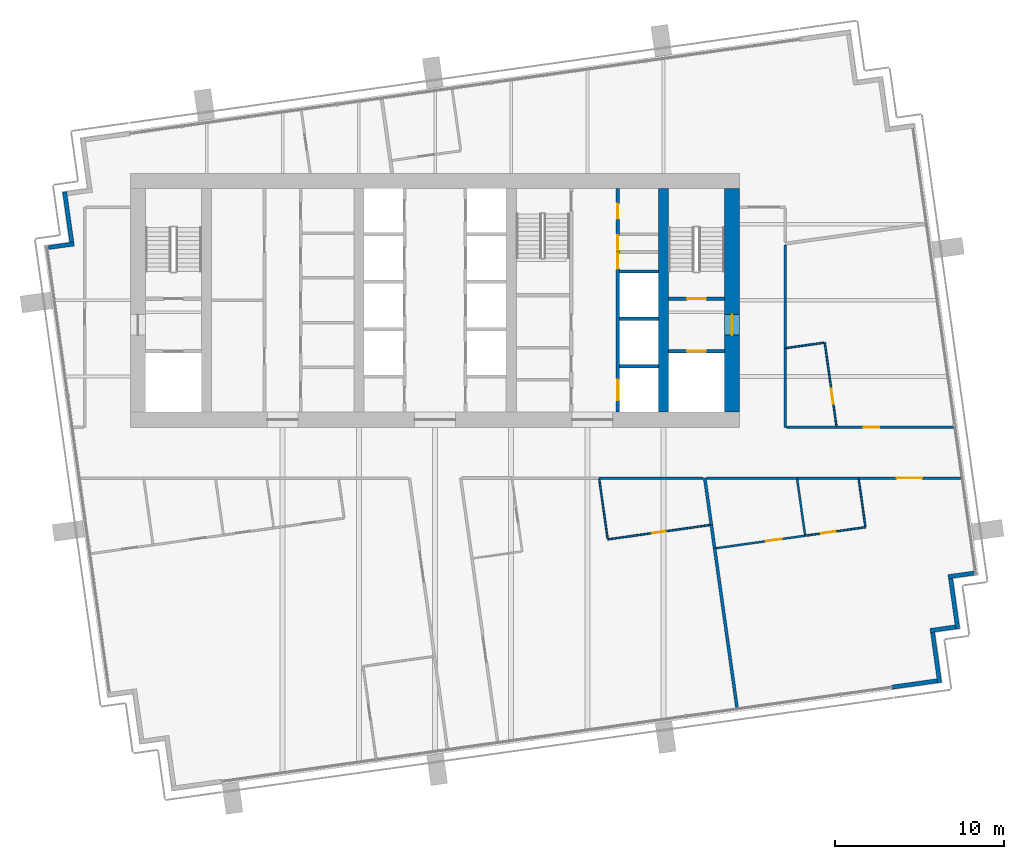
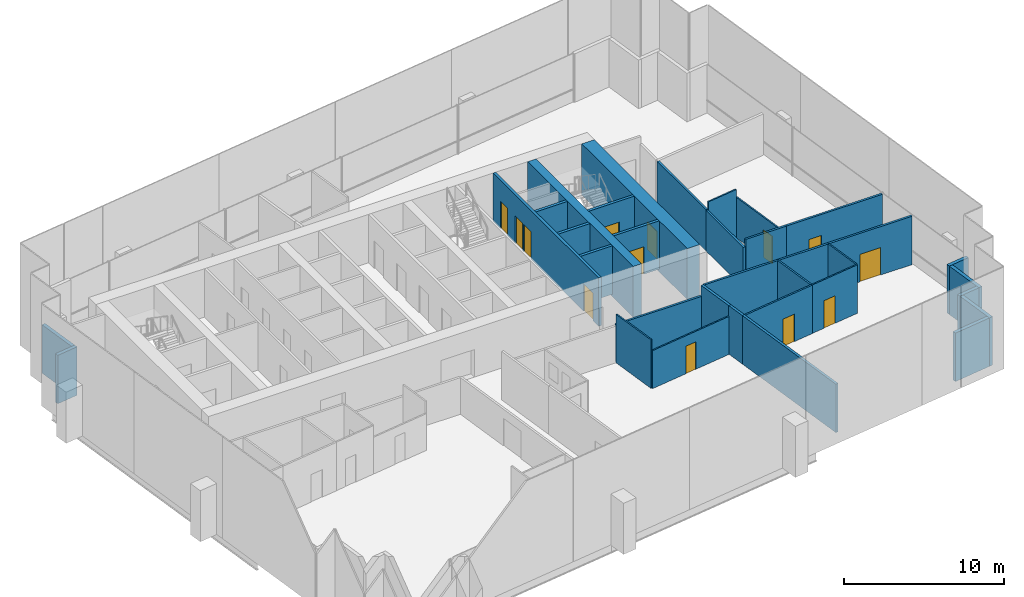
# One storey, part 11 of 17: 34 walls, 13 doors, 13 openings.
"""IFC4 building model written with IfcOpenShell, lengths in metres."""

import ifcopenshell
import ifcopenshell.guid

model = None  # the IFC model being written
_history = None  # IfcOwnerHistory: only IFC2X3 demands one
_inside = {}  # id of a spatial element -> (the spatial element, [elements in it])
_under = {}  # id of a project, library or spatial element -> (it, [spatial elements below it])
_declared = {}  # id of a project -> (the project, [libraries it declares])
_typed = {}  # id of a type object -> (the type object, [elements of that type])
_made_of = {}  # id of a material, layer set ... -> (it, [elements and type objects made of it])


def new_model(schema):
    """Start an empty IFC model of exactly this schema.

    Asked for "IFC4X3", IfcOpenShell would pick the latest addendum, in which some entities
    have other attributes; the version numbers below select the first issue.
    IFC2X3 requires an IfcOwnerHistory on every rooted entity: one is made here for all.
    """
    global model, _history
    if schema == "IFC4X3":
        model = ifcopenshell.file(schema_version=(4, 3, 0, 0))
    else:
        model = ifcopenshell.file(schema=schema)
    _inside.clear()
    _under.clear()
    _declared.clear()
    _typed.clear()
    _made_of.clear()
    _history = None
    if model.schema == "IFC2X3":
        org = make("IfcOrganization", Name="unknown")
        user = make(
            "IfcPersonAndOrganization",
            ThePerson=make("IfcPerson", FamilyName="unknown"),
            TheOrganization=org,
        )
        app = make(
            "IfcApplication",
            ApplicationDeveloper=org,
            Version="unknown",
            ApplicationFullName="unknown",
            ApplicationIdentifier="unknown",
        )
        _history = make(
            "IfcOwnerHistory",
            OwningUser=user,
            OwningApplication=app,
            ChangeAction="ADDED",
            CreationDate=0,
        )
    return model


def make(cls, **values):
    """One entity of the class cls with the attributes given. An attribute that is None is left unset."""
    return model.create_entity(
        cls, **{name: value for name, value in values.items() if value is not None}
    )


def rooted(cls, **values):
    """An entity with a GlobalId (a new one), such as an element, a storey or a relation."""
    return make(cls, GlobalId=ifcopenshell.guid.new(), OwnerHistory=_history, **values)


def si_unit(unit_type, name, prefix=None):
    """IfcSIUnit, for example si_unit("LENGTHUNIT", "METRE", prefix="MILLI")."""
    return make("IfcSIUnit", UnitType=unit_type, Prefix=prefix, Name=name)


def assignment(units):
    """IfcUnitAssignment: the units of a project."""
    return None if units is None else make("IfcUnitAssignment", Units=units)


def point(xyz):
    """IfcCartesianPoint."""
    return None if xyz is None else make("IfcCartesianPoint", Coordinates=xyz)


def direction(xyz):
    """IfcDirection."""
    return None if xyz is None else make("IfcDirection", DirectionRatios=xyz)


def frame(location, z_axis=None, x_axis=None):
    """IfcAxis2Placement3D, a coordinate frame: its origin and axes. An axis left out is left unset."""
    return make(
        "IfcAxis2Placement3D",
        Location=point(location),
        Axis=direction(z_axis),
        RefDirection=direction(x_axis),
    )


def frame_2d(location, x_axis=None):
    """IfcAxis2Placement2D, a coordinate frame in the plane: its origin and x axis."""
    return make(
        "IfcAxis2Placement2D", Location=point(location), RefDirection=direction(x_axis)
    )


def origin():
    """The frame at (0, 0, 0) with its axes left unset."""
    return frame((0.0, 0.0, 0.0))


def place(relative_to, where):
    """IfcLocalPlacement: puts the frame where relative to a parent placement (None: the world)."""
    return make(
        "IfcLocalPlacement", PlacementRelTo=relative_to, RelativePlacement=where
    )


def context(
    kind, dimensions, precision=None, world=None, true_north=None, identifier=None
):
    """IfcGeometricRepresentationContext, for example the 3D "Model" context."""
    return make(
        "IfcGeometricRepresentationContext",
        ContextIdentifier=identifier,
        ContextType=kind,
        CoordinateSpaceDimension=dimensions,
        Precision=precision,
        WorldCoordinateSystem=world,
        TrueNorth=true_north,
    )


def subcontext(parent, identifier, kind, view, scale=None):
    """IfcGeometricRepresentationSubContext, for example "Body" below "Model"."""
    return make(
        "IfcGeometricRepresentationSubContext",
        ContextIdentifier=identifier,
        ContextType=kind,
        ParentContext=parent,
        TargetScale=scale,
        TargetView=view,
    )


def project(units=None, contexts=None):
    """IfcProject with its units and contexts."""
    return rooted(
        "IfcProject",
        Name="project",
        RepresentationContexts=contexts,
        UnitsInContext=assignment(units),
    )


def spatial(cls, under=None, at=None, **own):
    """A site, building, storey or space (cls), placed at a placement, below another one or the project."""
    s = rooted(cls, ObjectPlacement=at, **own)
    if under is not None:
        _under.setdefault(under.id(), (under, []))[1].append(s)
    return s


def profile(cls, at=None, kind="AREA", **sizes):
    """A parametric profile (cls). Its sizes go by their IFC names, for example OverallWidth=200.0."""
    return make(cls, ProfileType=kind, Position=at, **sizes)


def rectangle(**sizes):
    """IfcRectangleProfileDef."""
    return profile("IfcRectangleProfileDef", **sizes)


def extrude(swept, where, along, depth):
    """IfcExtrudedAreaSolid: the profile swept, set in the frame where, extruded along a direction by depth."""
    return make(
        "IfcExtrudedAreaSolid",
        SweptArea=swept,
        Position=where,
        ExtrudedDirection=direction(along),
        Depth=depth,
    )


def shape(context_of_items, identifier, shape_type, items):
    """IfcShapeRepresentation: the items that make up one representation, for example the "Body"."""
    return make(
        "IfcShapeRepresentation",
        ContextOfItems=context_of_items,
        RepresentationIdentifier=identifier,
        RepresentationType=shape_type,
        Items=items,
    )


def material(Name=None, Category=None):
    """IfcMaterial."""
    return make("IfcMaterial", Name=Name, Category=Category)


def layer(
    of_material, thickness, ventilated=None, Name=None, Category=None, Priority=None
):
    """IfcMaterialLayer: one layer of a wall or slab, of a material (None: an air gap)."""
    return make(
        "IfcMaterialLayer",
        Material=of_material,
        LayerThickness=thickness,
        IsVentilated=ventilated,
        Name=Name,
        Category=Category,
        Priority=Priority,
    )


def layer_set(layers, Name=None):
    """IfcMaterialLayerSet."""
    return make("IfcMaterialLayerSet", MaterialLayers=layers, LayerSetName=Name)


def made_of(thing, what):
    """Note that an element or type object is made of a material, layer set ...; save() writes the relation."""
    if what is not None:
        _made_of.setdefault(what.id(), (what, []))[1].append(thing)
    return thing


def type_object(cls, material=None, **own):
    """A type object (cls), such as IfcWallType, which elements share."""
    return made_of(rooted(cls, **own), material)


def element(
    cls,
    number,
    at=None,
    inside=None,
    cuts=None,
    type_object=None,
    material=None,
    context=None,
    identifier="Body",
    shape_type=None,
    held_by="IfcProductDefinitionShape",
    body=None,
    shapes=None,
    **own,
):
    """One element of the class cls, such as IfcWall. Its Tag is "e" and its number.

    at: its placement. inside: the storey or other place that contains it. cuts: it is an
    opening in that element (IfcRelVoidsElement). A single representation is given by context,
    identifier, shape_type and body (its items); several are given by shapes. held_by: the class
    of the entity that holds the representations. save() writes the other relations.
    """
    e = rooted(cls, Tag="e%d" % number, ObjectPlacement=at, **own)
    if body is not None:
        shapes = [shape(context, identifier, shape_type, body)]
    if shapes is not None:
        e.Representation = make(held_by, Representations=shapes)
    if inside is not None:
        _inside.setdefault(inside.id(), (inside, []))[1].append(e)
    if cuts is not None:
        rooted(
            "IfcRelVoidsElement", RelatingBuildingElement=cuts, RelatedOpeningElement=e
        )
    if type_object is not None:
        _typed.setdefault(type_object.id(), (type_object, []))[1].append(e)
    return made_of(e, material)


def fill(opening, filler):
    """IfcRelFillsElement: the door or window that sits in an opening."""
    return rooted(
        "IfcRelFillsElement",
        RelatingOpeningElement=opening,
        RelatedBuildingElement=filler,
    )


def aggregate(whole, parts):
    """IfcRelAggregates: a whole, such as a stair, and the parts it consists of."""
    return rooted("IfcRelAggregates", RelatingObject=whole, RelatedObjects=parts)


def save(model, path):
    """Write the relations noted so far, then the file.

    IfcRelAggregates (storeys below a building ...), IfcRelContainedInSpatialStructure (elements
    in a storey), IfcRelDefinesByType, IfcRelAssociatesMaterial and IfcRelDeclares: one each for
    every whole, place, type object, material and project.
    """
    for whole, parts in _under.values():
        aggregate(whole, parts)
    for where, things in _inside.values():
        rooted(
            "IfcRelContainedInSpatialStructure",
            RelatedElements=things,
            RelatingStructure=where,
        )
    for kind, things in _typed.values():
        rooted("IfcRelDefinesByType", RelatedObjects=things, RelatingType=kind)
    for what, things in _made_of.values():
        rooted("IfcRelAssociatesMaterial", RelatedObjects=things, RelatingMaterial=what)
    for by, libraries in _declared.values():
        rooted("IfcRelDeclares", RelatingContext=by, RelatedDefinitions=libraries)
    model.write(path)


model = new_model("IFC4")

# Units and contexts
model_context = context("Model", 3, precision=1e-05, world=origin(), true_north=direction((0.0, 1.0)))
body_context = subcontext(model_context, "Body", "Model", "MODEL_VIEW")
ifc_project = project(units=[si_unit("LENGTHUNIT", "METRE"), si_unit("AREAUNIT", "SQUARE_METRE"), si_unit("VOLUMEUNIT", "CUBIC_METRE"), si_unit("PLANEANGLEUNIT", "RADIAN"), si_unit("MASSUNIT", "GRAM", prefix="KILO")], contexts=[model_context])

# Site, building, storey
site_placement = place(None, origin())
site = spatial("IfcSite", under=ifc_project, at=site_placement, CompositionType="ELEMENT")
building_placement = place(site_placement, origin())
building = spatial("IfcBuilding", under=site, at=building_placement, Name="Rattan Terrace Tower", CompositionType="ELEMENT")
storey_placement = place(building_placement, frame((0.0, 0.0, 225.199951171875)))
storey = spatial("IfcBuildingStorey", under=building, at=storey_placement, Name="L51", CompositionType="ELEMENT", Elevation=225.199951171875)

# Wall, opening, door
ifc_material_1 = material(Name="Gypsum board partition")
ifc_layer_1 = layer(ifc_material_1, 0.199951171875)
ifc_layer_set_1 = layer_set([ifc_layer_1], Name="Core partition 200")
wall_type_1 = type_object("IfcWallType", Name="Core partition 200", PredefinedType="PARTITIONING", material=ifc_layer_set_1)
wall_1_placement = place(storey_placement, frame((13.800048828125, -3.0, 0.0), z_axis=(0.0, 0.0, 1.0), x_axis=(1.0, 0.0, 0.0)))
wall_1 = element("IfcWall", 1, at=wall_1_placement, inside=storey, type_object=wall_type_1, Name="Fire-fighting lobby wall", PredefinedType="PARTITIONING", context=body_context, shape_type="SweptSolid", body=[
    extrude(rectangle(XDim=3.300048828125, YDim=0.199951171875, at=frame_2d((1.64990234375, 0.0))), origin(), (0.0, 0.0, 1.0), 3.699951171875),
])
opening_1_placement = place(wall_1_placement, frame((1.10009765625, 0.0, 0.0)))
opening_1 = element("IfcOpeningElement", 2, at=opening_1_placement, cuts=wall_1, Name="Opening L51-LD-FF2", PredefinedType="OPENING", context=body_context, shape_type="SweptSolid", body=[
    extrude(rectangle(XDim=1.10009765625, YDim=2.10009765625, at=frame_2d((0.550048828125, 1.050048828125))), frame((0.0, 0.110595703125, 0.0), z_axis=(0.0, -1.0, 0.0), x_axis=(1.0, 0.0, 0.0)), (0.0, 0.0, 1.0), 0.220947265625),
])
ifc_material_2 = material(Name="Brushed stainless landing door panel")
door_type_1 = type_object("IfcDoorType", Name="Core lift landing door 1100", OperationType="DOUBLE_DOOR_SLIDING", PredefinedType="DOOR", material=ifc_material_2)
door_1_placement = place(opening_1_placement, origin())
door_1 = element("IfcDoor", 3, at=door_1_placement, inside=storey, type_object=door_type_1, Name="Door L51-LD-FF2", OperationType="DOUBLE_DOOR_SLIDING", OverallHeight=2.10009765625, OverallWidth=1.10009765625, PredefinedType="DOOR", context=body_context, shape_type="SweptSolid", body=[
    extrude(rectangle(XDim=1.10009765625, YDim=2.10009765625, at=frame_2d((0.550048828125, 1.050048828125))), frame((0.0, 0.02490234375, 0.0), z_axis=(0.0, -1.0, 0.0), x_axis=(1.0, 0.0, 0.0)), (0.0, 0.0, 1.0), 0.050048828125),
])
fill(opening_1, door_1)

wall_2_placement = place(storey_placement, frame((13.800048828125, 0.10009765625, 0.0), z_axis=(0.0, 0.0, 1.0), x_axis=(1.0, 0.0, 0.0)))
wall_2 = element("IfcWall", 4, at=wall_2_placement, inside=storey, type_object=wall_type_1, Name="Stair enclosure wall", PredefinedType="PARTITIONING", context=body_context, shape_type="SweptSolid", body=[
    extrude(rectangle(XDim=3.300048828125, YDim=0.199951171875, at=frame_2d((1.64990234375, 0.0))), origin(), (0.0, 0.0, 1.0), 3.699951171875),
])
opening_2_placement = place(wall_2_placement, frame((1.10009765625, 0.0, 0.0)))
opening_2 = element("IfcOpeningElement", 5, at=opening_2_placement, cuts=wall_2, Name="Opening L51-D004", PredefinedType="OPENING", context=body_context, shape_type="SweptSolid", body=[
    extrude(rectangle(XDim=1.10009765625, YDim=2.10009765625, at=frame_2d((0.550048828125, 1.050048828125))), frame((0.0, 0.110595703125, 0.0), z_axis=(0.0, -1.0, 0.0), x_axis=(1.0, 0.0, 0.0)), (0.0, 0.0, 1.0), 0.220947265625),
])
ifc_material_3 = material(Name="Hollow-metal fire door leaf")
door_type_2 = type_object("IfcDoorType", Name="Core stair door 1100", OperationType="NOTDEFINED", PredefinedType="DOOR", material=ifc_material_3)
door_2_placement = place(opening_2_placement, origin())
door_2 = element("IfcDoor", 6, at=door_2_placement, inside=storey, type_object=door_type_2, Name="Door L51-D004", OperationType="SINGLE_SWING_RIGHT", OverallHeight=2.10009765625, OverallWidth=1.10009765625, PredefinedType="DOOR", context=body_context, shape_type="SweptSolid", body=[
    extrude(rectangle(XDim=1.10009765625, YDim=2.10009765625, at=frame_2d((0.550048828125, 1.050048828125))), frame((0.0, 0.02490234375, 0.0), z_axis=(0.0, -1.0, 0.0), x_axis=(1.0, 0.0, 0.0)), (0.0, 0.0, 1.0), 0.050048828125),
])
fill(opening_2, door_2)

ifc_material_4 = material(Name="Concrete C50/60", Category="concrete")
ifc_layer_2 = layer(ifc_material_4, 0.89990234375)
ifc_layer_set_2 = layer_set([ifc_layer_2], Name="Core ring wall 900 C50/60")
wall_type_2 = type_object("IfcWallType", Name="Core ring wall 900 C50/60", PredefinedType="SHEAR", material=ifc_layer_set_2)
wall_3_placement = place(storey_placement, frame((17.550048828125, -6.60009765625, -0.199951171875), z_axis=(0.0, 0.0, 1.0), x_axis=(0.0, 1.0, 0.0)))
wall_3 = element("IfcWall", 7, at=wall_3_placement, inside=storey, type_object=wall_type_2, Name="Rear core wall east", PredefinedType="SHEAR", context=body_context, shape_type="SweptSolid", body=[
    extrude(rectangle(XDim=13.2001953125, YDim=0.89990234375, at=frame_2d((6.60009765625, 0.0))), origin(), (0.0, 0.0, 1.0), 3.89990234375),
])
opening_3_placement = place(wall_3_placement, frame((4.550048828125, 0.0, 0.199951171875)))
opening_3 = element("IfcOpeningElement", 8, at=opening_3_placement, cuts=wall_3, Name="Opening L51-D003", PredefinedType="OPENING", context=body_context, shape_type="SweptSolid", body=[
    extrude(rectangle(XDim=1.199951171875, YDim=2.10009765625, at=frame_2d((0.60009765625, 1.050048828125))), frame((0.0, 0.46044921875, 0.0), z_axis=(0.0, -1.0, 0.0), x_axis=(1.0, 0.0, 0.0)), (0.0, 0.0, 1.0), 0.9208984375),
])
ifc_material_5 = material(Name="Hollow-metal fire door leaf")
door_type_3 = type_object("IfcDoorType", Name="Core fire-fighting lobby door 1200", OperationType="NOTDEFINED", PredefinedType="DOOR", material=ifc_material_5)
door_3_placement = place(opening_3_placement, origin())
door_3 = element("IfcDoor", 9, at=door_3_placement, inside=storey, type_object=door_type_3, Name="Door L51-D003", OperationType="SINGLE_SWING_LEFT", OverallHeight=2.10009765625, OverallWidth=1.199951171875, PredefinedType="DOOR", context=body_context, shape_type="SweptSolid", body=[
    extrude(rectangle(XDim=1.199951171875, YDim=2.10009765625, at=frame_2d((0.60009765625, 1.050048828125))), frame((0.0, 0.02490234375, 0.0), z_axis=(0.0, -1.0, 0.0), x_axis=(1.0, 0.0, 0.0)), (0.0, 0.0, 1.0), 0.050048828125),
])
fill(opening_3, door_3)

# Walls
ifc_material_6 = material(Name="Concrete C50/60", Category="concrete")
ifc_layer_3 = layer(ifc_material_6, 0.60009765625)
ifc_layer_set_3 = layer_set([ifc_layer_3], Name="Core spine wall 600 C50/60")
wall_type_3 = type_object("IfcWallType", Name="Core spine wall 600 C50/60", PredefinedType="SHEAR", material=ifc_layer_set_3)
wall_4_placement = place(storey_placement, frame((13.5, -6.60009765625, -0.199951171875), z_axis=(0.0, 0.0, 1.0), x_axis=(0.0, 1.0, 0.0)))
element("IfcWall", 10, at=wall_4_placement, inside=storey, type_object=wall_type_3, Name="Core spine wall 4", PredefinedType="SHEAR", context=body_context, shape_type="SweptSolid", body=[
    extrude(rectangle(XDim=13.2001953125, YDim=0.60009765625, at=frame_2d((6.60009765625, 0.0))), origin(), (0.0, 0.0, 1.0), 3.89990234375),
])
ifc_material_7 = material(Name="Insulated aluminium-clad stud wall", Category="aluminium")
ifc_layer_4 = layer(ifc_material_7, 0.25)
ifc_layer_set_4 = layer_set([ifc_layer_4], Name="Facade Riser Wall 250")
wall_type_4 = type_object("IfcWallType", Name="Facade Riser Wall 250", PredefinedType="SOLIDWALL", material=ifc_layer_set_4)
wall_5_placement = place(storey_placement, frame((26.995361328125, -22.858642578125, 0.0), z_axis=(0.0, 0.0, 1.0), x_axis=(0.99024510326, 0.139336411139, 0.0)))
element("IfcWall", 11, at=wall_5_placement, inside=storey, type_object=wall_type_4, Name="Riser wall L51-1", PredefinedType="SOLIDWALL", context=body_context, shape_type="SweptSolid", body=[
    extrude(rectangle(XDim=2.705322265625, YDim=0.25, at=frame_2d((1.3525390625, 0.0))), origin(), (0.0, 0.0, 1.0), 3.699951171875),
])
wall_6_placement = place(storey_placement, frame((29.8154296875, -22.588134765625, 0.0), z_axis=(0.0, 0.0, 1.0), x_axis=(-0.138983028379, 0.9902947631, 0.0)))
element("IfcWall", 12, at=wall_6_placement, inside=storey, type_object=wall_type_4, Name="Riser wall L51-2", PredefinedType="SOLIDWALL", context=body_context, shape_type="SweptSolid", body=[
    extrude(rectangle(XDim=3.000244140625, YDim=0.25, at=frame_2d((1.5, 0.0))), origin(), (0.0, 0.0, 1.0), 3.699951171875),
])
wall_7_placement = place(storey_placement, frame((29.25732421875, -19.510498046875, 0.0), z_axis=(0.0, 0.0, 1.0), x_axis=(0.990330117064, 0.138730887823, 0.0)))
element("IfcWall", 13, at=wall_7_placement, inside=storey, type_object=wall_type_4, Name="Riser wall L51-3", PredefinedType="SOLIDWALL", context=body_context, shape_type="SweptSolid", body=[
    extrude(rectangle(XDim=1.499267578125, YDim=0.25, at=frame_2d((0.74951171875, 0.0))), origin(), (0.0, 0.0, 1.0), 3.699951171875),
])
wall_8_placement = place(storey_placement, frame((30.88330078125, -19.408935546875, 0.0), z_axis=(0.0, 0.0, 1.0), x_axis=(-0.139324658755, 0.990246756855, 0.0)))
element("IfcWall", 14, at=wall_8_placement, inside=storey, type_object=wall_type_4, Name="Riser wall L51-4", PredefinedType="SOLIDWALL", context=body_context, shape_type="SweptSolid", body=[
    extrude(rectangle(XDim=3.0, YDim=0.25, at=frame_2d((1.5, 0.0))), origin(), (0.0, 0.0, 1.0), 3.699951171875),
])
wall_9_placement = place(storey_placement, frame((30.32421875, -16.331787109375, 0.0), z_axis=(0.0, 0.0, 1.0), x_axis=(0.990238641016, 0.139382329723, 0.0)))
element("IfcWall", 15, at=wall_9_placement, inside=storey, type_object=wall_type_4, Name="Riser wall L51-5", PredefinedType="SOLIDWALL", context=body_context, shape_type="SweptSolid", body=[
    extrude(rectangle(XDim=1.525634765625, YDim=0.25, at=frame_2d((0.7626953125, 0.0))), origin(), (0.0, 0.0, 1.0), 3.699951171875),
])
wall_10_placement = place(storey_placement, frame((-21.88330078125, 6.408935546875, 0.0), z_axis=(0.0, 0.0, 1.0), x_axis=(0.139324658755, -0.990246756855, 0.0)))
element("IfcWall", 16, at=wall_10_placement, inside=storey, type_object=wall_type_4, Name="Riser wall L51-14", PredefinedType="SOLIDWALL", context=body_context, shape_type="SweptSolid", body=[
    extrude(rectangle(XDim=3.0, YDim=0.25, at=frame_2d((1.5, 0.0))), origin(), (0.0, 0.0, 1.0), 3.699951171875),
])
wall_11_placement = place(storey_placement, frame((-21.32421875, 3.331787109375, 0.0), z_axis=(0.0, 0.0, 1.0), x_axis=(-0.990238641016, -0.139382329723, 0.0)))
element("IfcWall", 17, at=wall_11_placement, inside=storey, type_object=wall_type_4, Name="Riser wall L51-15", PredefinedType="SOLIDWALL", context=body_context, shape_type="SweptSolid", body=[
    extrude(rectangle(XDim=1.525634765625, YDim=0.25, at=frame_2d((0.7626953125, 0.0))), origin(), (0.0, 0.0, 1.0), 3.699951171875),
])
ifc_material_8 = material(Name="Double steel stud acoustic partition, gypsum board, mineral wool, fire rated", Category="steel")
ifc_layer_5 = layer(ifc_material_8, 0.179931640625)
ifc_layer_set_5 = layer_set([ifc_layer_5], Name="Floors Acoustic Party Wall 180")
wall_type_5 = type_object("IfcWallType", Name="Floors Acoustic Party Wall 180", PredefinedType="PARTITIONING", material=ifc_layer_set_5)
wall_12_placement = place(storey_placement, frame((16.51904296875, -14.638916015625, 0.0), z_axis=(0.0, 0.0, 1.0), x_axis=(0.139138381639, -0.990272947603, 0.0)))
element("IfcWall", 18, at=wall_12_placement, inside=storey, type_object=wall_type_5, Name="pt-L51-039", PredefinedType="PARTITIONING", context=body_context, shape_type="SweptSolid", body=[
    extrude(rectangle(XDim=9.508544921875, YDim=0.179931640625, at=frame_2d((4.75439453125, 0.0))), origin(), (0.0, 0.0, 1.0), 3.699951171875),
])
wall_13_placement = place(storey_placement, frame((16.325927734375, -13.26611328125, 0.0), z_axis=(0.0, 0.0, 1.0), x_axis=(0.13930070257, -0.990250127121, 0.0)))
element("IfcWall", 19, at=wall_13_placement, inside=storey, type_object=wall_type_5, Name="pt-L51-040", PredefinedType="PARTITIONING", context=body_context, shape_type="SweptSolid", body=[
    extrude(rectangle(XDim=1.38623046875, YDim=0.179931640625, at=frame_2d((0.693115234375, 0.0))), origin(), (0.0, 0.0, 1.0), 3.699951171875),
])
wall_14_placement = place(storey_placement, frame((15.93701171875, -10.5, 0.0), z_axis=(0.0, 0.0, 1.0), x_axis=(0.139230726348, -0.990259968312, 0.0)))
element("IfcWall", 20, at=wall_14_placement, inside=storey, type_object=wall_type_5, Name="pt-L51-041", PredefinedType="PARTITIONING", context=body_context, shape_type="SweptSolid", body=[
    extrude(rectangle(XDim=2.793212890625, YDim=0.179931640625, at=frame_2d((1.396484375, 0.0))), origin(), (0.0, 0.0, 1.0), 3.699951171875),
])
ifc_material_9 = material(Name="Gypsum board partition on steel studs", Category="steel")
ifc_layer_6 = layer(ifc_material_9, 0.10009765625)
ifc_layer_set_6 = layer_set([ifc_layer_6], Name="Floors Partition 100")
wall_type_6 = type_object("IfcWallType", Name="Floors Partition 100", PredefinedType="PARTITIONING", material=ifc_layer_set_6)
wall_15_placement = place(storey_placement, frame((9.7041015625, -10.568115234375, 0.0), z_axis=(0.0, 0.0, 1.0), x_axis=(0.139115473097, -0.9902761661, 0.0)))
element("IfcWall", 21, at=wall_15_placement, inside=storey, type_object=wall_type_6, Name="pt-L51-037", PredefinedType="PARTITIONING", context=body_context, shape_type="SweptSolid", body=[
    extrude(rectangle(XDim=3.543212890625, YDim=0.10009765625, at=frame_2d((1.771484375, 0.0))), origin(), (0.0, 0.0, 1.0), 3.699951171875),
])

# Wall, opening, door
wall_16_placement = place(storey_placement, frame((10.2041015625, -14.1259765625, 0.0), z_axis=(0.0, 0.0, 1.0), x_axis=(0.99026754166, 0.139176851288, 0.0)))
wall_16 = element("IfcWall", 22, at=wall_16_placement, inside=storey, type_object=wall_type_6, Name="pt-L51-038", PredefinedType="PARTITIONING", context=body_context, shape_type="SweptSolid", body=[
    extrude(rectangle(XDim=6.09228515625, YDim=0.10009765625, at=frame_2d((3.046142578125, 0.0))), origin(), (0.0, 0.0, 1.0), 2.900146484375),
])
opening_4_placement = place(wall_16_placement, frame((2.64599609375, 0.0, 0.0)))
opening_4 = element("IfcOpeningElement", 23, at=opening_4_placement, cuts=wall_16, Name="Opening L51-D108", PredefinedType="OPENING", context=body_context, shape_type="SweptSolid", body=[
    extrude(rectangle(XDim=0.800048828125, YDim=2.10009765625, at=frame_2d((0.39990234375, 1.050048828125))), frame((0.0, 0.060546875, 0.0), z_axis=(0.0, -1.0, 0.0), x_axis=(1.0, 0.0, 0.0)), (0.0, 0.0, 1.0), 0.12109375),
])
ifc_material_10 = material(Name="Solid core timber door, painted", Category="wood")
door_type_4 = type_object("IfcDoorType", Name="Floors Store Door 800x2100", OperationType="NOTDEFINED", PredefinedType="DOOR", material=ifc_material_10)
door_4_placement = place(opening_4_placement, origin())
door_4 = element("IfcDoor", 24, at=door_4_placement, inside=storey, type_object=door_type_4, Name="d-L51-108", OperationType="SINGLE_SWING_LEFT", OverallHeight=2.10009765625, OverallWidth=0.800048828125, PredefinedType="DOOR", context=body_context, shape_type="SweptSolid", body=[
    extrude(rectangle(XDim=0.800048828125, YDim=2.10009765625, at=frame_2d((0.39990234375, 1.050048828125))), frame((0.0, 0.02490234375, 0.0), z_axis=(0.0, -1.0, 0.0), x_axis=(1.0, 0.0, 0.0)), (0.0, 0.0, 1.0), 0.050048828125),
])
fill(opening_4, door_4)

wall_17_placement = place(storey_placement, frame((21.888916015625, -13.905029296875, 0.0), z_axis=(0.0, 0.0, 1.0), x_axis=(0.990275524816, 0.139120037919, 0.0)))
wall_17 = element("IfcWall", 25, at=wall_17_placement, inside=storey, type_object=wall_type_6, Name="pt-L51-043", PredefinedType="PARTITIONING", context=body_context, shape_type="SweptSolid", body=[
    extrude(rectangle(XDim=3.580078125, YDim=0.10009765625, at=frame_2d((1.7900390625, 0.0))), origin(), (0.0, 0.0, 1.0), 3.699951171875),
])
opening_5_placement = place(wall_17_placement, frame((0.904052734375, 0.0, 0.0)))
opening_5 = element("IfcOpeningElement", 26, at=opening_5_placement, cuts=wall_17, Name="Opening L51-D111", PredefinedType="OPENING", context=body_context, shape_type="SweptSolid", body=[
    extrude(rectangle(XDim=0.89990234375, YDim=2.10009765625, at=frame_2d((0.449951171875, 1.050048828125))), frame((0.0, 0.060546875, 0.0), z_axis=(0.0, -1.0, 0.0), x_axis=(1.0, 0.0, 0.0)), (0.0, 0.0, 1.0), 0.12109375),
])
ifc_material_11 = material(Name="Solid core timber door, painted", Category="wood")
door_type_5 = type_object("IfcDoorType", Name="Floors Door 900x2100", OperationType="NOTDEFINED", PredefinedType="DOOR", material=ifc_material_11)
door_5_placement = place(opening_5_placement, origin())
door_5 = element("IfcDoor", 27, at=door_5_placement, inside=storey, type_object=door_type_5, Name="d-L51-111", OperationType="SINGLE_SWING_LEFT", OverallHeight=2.10009765625, OverallWidth=0.89990234375, PredefinedType="DOOR", context=body_context, shape_type="SweptSolid", body=[
    extrude(rectangle(XDim=0.89990234375, YDim=2.10009765625, at=frame_2d((0.449951171875, 1.050048828125))), frame((0.0, 0.02490234375, 0.0), z_axis=(0.0, -1.0, 0.0), x_axis=(1.0, 0.0, 0.0)), (0.0, 0.0, 1.0), 0.050048828125),
])
fill(opening_5, door_5)

# Walls
wall_18_placement = place(storey_placement, frame((25.427001953125, -13.35791015625, 0.0), z_axis=(0.0, 0.0, 1.0), x_axis=(-0.139176490191, 0.99026759241, 0.0)))
element("IfcWall", 28, at=wall_18_placement, inside=storey, type_object=wall_type_6, Name="pt-L51-044", PredefinedType="PARTITIONING", context=body_context, shape_type="SweptSolid", body=[
    extrude(rectangle(XDim=2.817138671875, YDim=0.10009765625, at=frame_2d((1.40869140625, 0.0))), origin(), (0.0, 0.0, 1.0), 3.699951171875),
])
wall_19_placement = place(storey_placement, frame((22.97705078125, -2.506103515625, 0.0), z_axis=(0.0, 0.0, 1.0), x_axis=(-0.990307451449, -0.138892590173, 0.0)))
element("IfcWall", 29, at=wall_19_placement, inside=storey, type_object=wall_type_6, Name="pt-L51-049", PredefinedType="PARTITIONING", context=body_context, shape_type="SweptSolid", body=[
    extrude(rectangle(XDim=2.230712890625, YDim=0.10009765625, at=frame_2d((1.115234375, 0.0))), origin(), (0.0, 0.0, 1.0), 3.699951171875),
])

# Wall, opening, door
wall_20_placement = place(storey_placement, frame((23.718994140625, -7.431884765625, 0.0), z_axis=(0.0, 0.0, 1.0), x_axis=(-0.138902614834, 0.990306045418, 0.0)))
wall_20 = element("IfcWall", 30, at=wall_20_placement, inside=storey, type_object=wall_type_6, Name="pt-L51-050", PredefinedType="PARTITIONING", context=body_context, shape_type="SweptSolid", body=[
    extrude(rectangle(XDim=4.981201171875, YDim=0.10009765625, at=frame_2d((2.49072265625, 0.0))), origin(), (0.0, 0.0, 1.0), 3.10009765625),
])
opening_6_placement = place(wall_20_placement, frame((1.323974609375, 0.0, 0.0)))
opening_6 = element("IfcOpeningElement", 31, at=opening_6_placement, cuts=wall_20, Name="Opening L51-D115", PredefinedType="OPENING", context=body_context, shape_type="SweptSolid", body=[
    extrude(rectangle(XDim=0.89990234375, YDim=2.10009765625, at=frame_2d((0.449951171875, 1.050048828125))), frame((0.0, 0.060546875, 0.0), z_axis=(0.0, -1.0, 0.0), x_axis=(1.0, 0.0, 0.0)), (0.0, 0.0, 1.0), 0.12109375),
])
door_6_placement = place(opening_6_placement, origin())
door_6 = element("IfcDoor", 32, at=door_6_placement, inside=storey, type_object=door_type_5, Name="d-L51-115", OperationType="SINGLE_SWING_LEFT", OverallHeight=2.10009765625, OverallWidth=0.89990234375, PredefinedType="DOOR", context=body_context, shape_type="SweptSolid", body=[
    extrude(rectangle(XDim=0.89990234375, YDim=2.10009765625, at=frame_2d((0.449951171875, 1.050048828125))), frame((0.0, 0.02490234375, 0.0), z_axis=(0.0, -1.0, 0.0), x_axis=(1.0, 0.0, 0.0)), (0.0, 0.0, 1.0), 0.050048828125),
])
fill(opening_6, door_6)

# Wall
ifc_material_12 = material(Name="Gypsum board partition on steel studs, fire rated", Category="steel")
ifc_layer_7 = layer(ifc_material_12, 0.14990234375)
ifc_layer_set_7 = layer_set([ifc_layer_7], Name="Floors Tenancy Wall 150")
wall_type_7 = type_object("IfcWallType", Name="Floors Tenancy Wall 150", PredefinedType="PARTITIONING", material=ifc_layer_set_7)
wall_21_placement = place(storey_placement, frame((15.847900390625, -10.5, 0.0), z_axis=(0.0, 0.0, 1.0), x_axis=(-1.0, 0.0, 0.0)))
element("IfcWall", 33, at=wall_21_placement, inside=storey, type_object=wall_type_7, Name="pt-L51-012", PredefinedType="PARTITIONING", context=body_context, shape_type="SweptSolid", body=[
    extrude(rectangle(XDim=6.1728515625, YDim=0.14990234375, at=frame_2d((3.08642578125, 0.0))), origin(), (0.0, 0.0, 1.0), 2.900146484375),
])

# Wall, opening, door
wall_22_placement = place(storey_placement, frame((31.054931640625, -10.5, 0.0), z_axis=(0.0, 0.0, 1.0), x_axis=(-1.0, 0.0, 0.0)))
wall_22 = element("IfcWall", 34, at=wall_22_placement, inside=storey, type_object=wall_type_7, Name="pt-L51-013", PredefinedType="PARTITIONING", context=body_context, shape_type="SweptSolid", body=[
    extrude(rectangle(XDim=6.050048828125, YDim=0.14990234375, at=frame_2d((3.02490234375, 0.0))), origin(), (0.0, 0.0, 1.0), 3.699951171875),
])
opening_7_placement = place(wall_22_placement, frame((2.27490234375, 0.0, 0.0)))
opening_7 = element("IfcOpeningElement", 35, at=opening_7_placement, cuts=wall_22, Name="Opening L51-D109", PredefinedType="OPENING", context=body_context, shape_type="SweptSolid", body=[
    extrude(rectangle(XDim=1.5, YDim=2.10009765625, at=frame_2d((0.75, 1.050048828125))), frame((0.0, 0.08544921875, 0.0), z_axis=(0.0, -1.0, 0.0), x_axis=(1.0, 0.0, 0.0)), (0.0, 0.0, 1.0), 0.1708984375),
])
ifc_material_13 = material(Name="Steel fire door set", Category="steel")
door_type_6 = type_object("IfcDoorType", Name="Floors Unit Door Pair FD30S 1500x2100", OperationType="NOTDEFINED", PredefinedType="DOOR", material=ifc_material_13)
door_7_placement = place(opening_7_placement, origin())
door_7 = element("IfcDoor", 36, at=door_7_placement, inside=storey, type_object=door_type_6, Name="d-L51-109", OperationType="DOUBLE_DOOR_SINGLE_SWING", OverallHeight=2.10009765625, OverallWidth=1.5, PredefinedType="DOOR", context=body_context, shape_type="SweptSolid", body=[
    extrude(rectangle(XDim=1.5, YDim=2.10009765625, at=frame_2d((0.75, 1.050048828125))), frame((0.0, 0.02490234375, 0.0), z_axis=(0.0, -1.0, 0.0), x_axis=(1.0, 0.0, 0.0)), (0.0, 0.0, 1.0), 0.050048828125),
])
fill(opening_7, door_7)

# Walls
wall_23_placement = place(storey_placement, frame((21.409912109375, -10.5, 0.0), z_axis=(0.0, 0.0, 1.0), x_axis=(-1.0, 0.0, 0.0)))
element("IfcWall", 37, at=wall_23_placement, inside=storey, type_object=wall_type_7, Name="pt-L51-014", PredefinedType="PARTITIONING", context=body_context, shape_type="SweptSolid", body=[
    extrude(rectangle(XDim=5.371826171875, YDim=0.14990234375, at=frame_2d((2.68603515625, 0.0))), origin(), (0.0, 0.0, 1.0), 3.699951171875),
])
wall_24_placement = place(storey_placement, frame((25.0048828125, -10.5, 0.0), z_axis=(0.0, 0.0, 1.0), x_axis=(-1.0, 0.0, 0.0)))
element("IfcWall", 38, at=wall_24_placement, inside=storey, type_object=wall_type_7, Name="pt-L51-015", PredefinedType="PARTITIONING", context=body_context, shape_type="SweptSolid", body=[
    extrude(rectangle(XDim=3.594970703125, YDim=0.14990234375, at=frame_2d((1.79736328125, 0.0))), origin(), (0.0, 0.0, 1.0), 3.699951171875),
])
wall_25_placement = place(storey_placement, frame((20.699951171875, 3.260986328125, 0.0), z_axis=(0.0, 0.0, 1.0), x_axis=(0.0, -1.0, 0.0)))
element("IfcWall", 39, at=wall_25_placement, inside=storey, type_object=wall_type_7, Name="pt-L51-019", PredefinedType="PARTITIONING", context=body_context, shape_type="SweptSolid", body=[
    extrude(rectangle(XDim=6.10693359375, YDim=0.14990234375, at=frame_2d((3.053466796875, 0.0))), origin(), (0.0, 0.0, 1.0), 3.150146484375),
])

# Wall, opening, door
wall_26_placement = place(storey_placement, frame((23.708984375, -7.5, 0.0), z_axis=(0.0, 0.0, 1.0), x_axis=(1.0, 0.0, 0.0)))
wall_26 = element("IfcWall", 40, at=wall_26_placement, inside=storey, type_object=wall_type_7, Name="pt-L51-020", PredefinedType="PARTITIONING", context=body_context, shape_type="SweptSolid", body=[
    extrude(rectangle(XDim=6.924072265625, YDim=0.14990234375, at=frame_2d((3.4619140625, 0.0))), origin(), (0.0, 0.0, 1.0), 3.699951171875),
])
opening_8_placement = place(wall_26_placement, frame((1.631103515625, 0.0, 0.0)))
opening_8 = element("IfcOpeningElement", 41, at=opening_8_placement, cuts=wall_26, Name="Opening L51-D114", PredefinedType="OPENING", context=body_context, shape_type="SweptSolid", body=[
    extrude(rectangle(XDim=0.89990234375, YDim=2.10009765625, at=frame_2d((0.449951171875, 1.050048828125))), frame((0.0, 0.08544921875, 0.0), z_axis=(0.0, -1.0, 0.0), x_axis=(1.0, 0.0, 0.0)), (0.0, 0.0, 1.0), 0.1708984375),
])
ifc_material_14 = material(Name="Steel fire door set", Category="steel")
door_type_7 = type_object("IfcDoorType", Name="Floors Fire Door FD30S 900x2100", OperationType="NOTDEFINED", PredefinedType="DOOR", material=ifc_material_14)
door_8_placement = place(opening_8_placement, origin())
door_8 = element("IfcDoor", 42, at=door_8_placement, inside=storey, type_object=door_type_7, Name="d-L51-114", OperationType="SINGLE_SWING_LEFT", OverallHeight=2.10009765625, OverallWidth=0.89990234375, PredefinedType="DOOR", context=body_context, shape_type="SweptSolid", body=[
    extrude(rectangle(XDim=0.89990234375, YDim=2.10009765625, at=frame_2d((0.449951171875, 1.050048828125))), frame((0.0, 0.02490234375, 0.0), z_axis=(0.0, -1.0, 0.0), x_axis=(1.0, 0.0, 0.0)), (0.0, 0.0, 1.0), 0.050048828125),
])
fill(opening_8, door_8)

# Walls
wall_27_placement = place(storey_placement, frame((20.699951171875, -2.845947265625, 0.0), z_axis=(0.0, 0.0, 1.0), x_axis=(0.0, -1.0, 0.0)))
element("IfcWall", 43, at=wall_27_placement, inside=storey, type_object=wall_type_7, Name="pt-L51-021", PredefinedType="PARTITIONING", context=body_context, shape_type="SweptSolid", body=[
    extrude(rectangle(XDim=4.654052734375, YDim=0.14990234375, at=frame_2d((2.3271484375, 0.0))), origin(), (0.0, 0.0, 1.0), 3.10009765625),
])
wall_28_placement = place(storey_placement, frame((20.77490234375, -7.5, 0.0), z_axis=(0.0, 0.0, 1.0), x_axis=(1.0, 0.0, 0.0)))
element("IfcWall", 44, at=wall_28_placement, inside=storey, type_object=wall_type_7, Name="pt-L51-022", PredefinedType="PARTITIONING", context=body_context, shape_type="SweptSolid", body=[
    extrude(rectangle(XDim=2.93408203125, YDim=0.14990234375, at=frame_2d((1.467041015625, 0.0))), origin(), (0.0, 0.0, 1.0), 3.699951171875),
])

# Wall, opening, door
ifc_material_15 = material(Name="Moisture resistant gypsum board partition on steel studs with service cavity", Category="steel")
ifc_layer_8 = layer(ifc_material_15, 0.1201171875)
ifc_layer_set_8 = layer_set([ifc_layer_8], Name="Floors Wet Wall 120")
wall_type_8 = type_object("IfcWallType", Name="Floors Wet Wall 120", PredefinedType="PARTITIONING", material=ifc_layer_set_8)
wall_29_placement = place(storey_placement, frame((16.611083984375, -14.64697265625, 0.0), z_axis=(0.0, 0.0, 1.0), x_axis=(0.990263091894, 0.139208508477, 0.0)))
wall_29 = element("IfcWall", 45, at=wall_29_placement, inside=storey, type_object=wall_type_8, Name="pt-L51-042", PredefinedType="PARTITIONING", context=body_context, shape_type="SweptSolid", body=[
    extrude(rectangle(XDim=5.329833984375, YDim=0.1201171875, at=frame_2d((2.6650390625, 0.0))), origin(), (0.0, 0.0, 1.0), 3.699951171875),
])
opening_9_placement = place(wall_29_placement, frame((3.0, 0.0, 0.0)))
opening_9 = element("IfcOpeningElement", 46, at=opening_9_placement, cuts=wall_29, Name="Opening L51-D110", PredefinedType="OPENING", context=body_context, shape_type="SweptSolid", body=[
    extrude(rectangle(XDim=0.89990234375, YDim=2.10009765625, at=frame_2d((0.449951171875, 1.050048828125))), frame((0.0, 0.070556640625, 0.0), z_axis=(0.0, -1.0, 0.0), x_axis=(1.0, 0.0, 0.0)), (0.0, 0.0, 1.0), 0.14111328125),
])
door_9_placement = place(opening_9_placement, origin())
door_9 = element("IfcDoor", 47, at=door_9_placement, inside=storey, type_object=door_type_5, Name="d-L51-110", OperationType="SINGLE_SWING_RIGHT", OverallHeight=2.10009765625, OverallWidth=0.89990234375, PredefinedType="DOOR", context=body_context, shape_type="SweptSolid", body=[
    extrude(rectangle(XDim=0.89990234375, YDim=2.10009765625, at=frame_2d((0.449951171875, 1.050048828125))), frame((0.0, 0.02490234375, 0.0), z_axis=(0.0, -1.0, 0.0), x_axis=(1.0, 0.0, 0.0)), (0.0, 0.0, 1.0), 0.050048828125),
])
fill(opening_9, door_9)

# Wall
wall_30_placement = place(storey_placement, frame((21.39892578125, -10.56689453125, 0.0), z_axis=(0.0, 0.0, 1.0), x_axis=(0.139430884239, -0.990231805448, 0.0)))
element("IfcWall", 48, at=wall_30_placement, inside=storey, type_object=wall_type_8, Name="pt-L51-045", PredefinedType="PARTITIONING", context=body_context, shape_type="SweptSolid", body=[
    extrude(rectangle(XDim=3.314697265625, YDim=0.1201171875, at=frame_2d((1.6572265625, 0.0))), origin(), (0.0, 0.0, 1.0), 3.699951171875),
])

# Wall, openings, doors
ifc_material_16 = material(Name="Gypsum shaft wall system")
ifc_layer_9 = layer(ifc_material_16, 0.199951171875)
ifc_layer_set_9 = layer_set([ifc_layer_9], Name="Lift shaft wall 200")
wall_type_9 = type_object("IfcWallType", Name="Lift shaft wall 200", PredefinedType="PARTITIONING", material=ifc_layer_set_9)
wall_31_placement = place(storey_placement, frame((10.800048828125, -6.60009765625, 0.0), z_axis=(0.0, 0.0, 1.0), x_axis=(0.0, 1.0, 0.0)))
wall_31 = element("IfcWall", 49, at=wall_31_placement, inside=storey, type_object=wall_type_9, Name="Lift shaft front wall", PredefinedType="PARTITIONING", context=body_context, shape_type="SweptSolid", body=[
    extrude(rectangle(XDim=13.2001953125, YDim=0.199951171875, at=frame_2d((6.60009765625, 0.0))), origin(), (0.0, 0.0, 1.0), 3.699951171875),
])
opening_10_placement = place(wall_31_placement, frame((0.699951171875, 0.0, 0.0)))
opening_10 = element("IfcOpeningElement", 50, at=opening_10_placement, cuts=wall_31, Name="Opening L51-LD-SV1", PredefinedType="OPENING", context=body_context, shape_type="SweptSolid", body=[
    extrude(rectangle(XDim=1.199951171875, YDim=2.10009765625, at=frame_2d((0.60009765625, 1.050048828125))), frame((0.0, 0.110595703125, 0.0), z_axis=(0.0, -1.0, 0.0), x_axis=(1.0, 0.0, 0.0)), (0.0, 0.0, 1.0), 0.220947265625),
])
opening_11_placement = place(wall_31_placement, frame((8.47802734375, 0.0, 0.0)))
opening_11 = element("IfcOpeningElement", 51, at=opening_11_placement, cuts=wall_31, Name="Opening L51-D021", PredefinedType="OPENING", context=body_context, shape_type="SweptSolid", body=[
    extrude(rectangle(XDim=0.89990234375, YDim=2.10009765625, at=frame_2d((0.449951171875, 1.050048828125))), frame((0.0, 0.110595703125, 0.0), z_axis=(0.0, -1.0, 0.0), x_axis=(1.0, 0.0, 0.0)), (0.0, 0.0, 1.0), 0.220947265625),
])
opening_12_placement = place(wall_31_placement, frame((9.533935546875, 0.0, 0.0)))
opening_12 = element("IfcOpeningElement", 52, at=opening_12_placement, cuts=wall_31, Name="Opening L51-D022", PredefinedType="OPENING", context=body_context, shape_type="SweptSolid", body=[
    extrude(rectangle(XDim=0.89990234375, YDim=2.10009765625, at=frame_2d((0.449951171875, 1.050048828125))), frame((0.0, 0.110595703125, 0.0), z_axis=(0.0, -1.0, 0.0), x_axis=(1.0, 0.0, 0.0)), (0.0, 0.0, 1.0), 0.220947265625),
])
opening_13_placement = place(wall_31_placement, frame((11.406005859375, 0.0, 0.0)))
opening_13 = element("IfcOpeningElement", 53, at=opening_13_placement, cuts=wall_31, Name="Opening L51-D023", PredefinedType="OPENING", context=body_context, shape_type="SweptSolid", body=[
    extrude(rectangle(XDim=0.89990234375, YDim=2.10009765625, at=frame_2d((0.449951171875, 1.050048828125))), frame((0.0, 0.110595703125, 0.0), z_axis=(0.0, -1.0, 0.0), x_axis=(1.0, 0.0, 0.0)), (0.0, 0.0, 1.0), 0.220947265625),
])
ifc_material_17 = material(Name="Brushed stainless landing door panel")
door_type_8 = type_object("IfcDoorType", Name="Core lift landing door 1200", OperationType="DOUBLE_DOOR_SLIDING", PredefinedType="DOOR", material=ifc_material_17)
door_10_placement = place(opening_10_placement, origin())
door_10 = element("IfcDoor", 54, at=door_10_placement, inside=storey, type_object=door_type_8, Name="Door L51-LD-SV1", OperationType="DOUBLE_DOOR_SLIDING", OverallHeight=2.10009765625, OverallWidth=1.199951171875, PredefinedType="DOOR", context=body_context, shape_type="SweptSolid", body=[
    extrude(rectangle(XDim=1.199951171875, YDim=2.10009765625, at=frame_2d((0.60009765625, 1.050048828125))), frame((0.0, 0.02490234375, 0.0), z_axis=(0.0, -1.0, 0.0), x_axis=(1.0, 0.0, 0.0)), (0.0, 0.0, 1.0), 0.050048828125),
])
fill(opening_10, door_10)
ifc_material_18 = material(Name="Hollow-metal fire door leaf")
door_type_9 = type_object("IfcDoorType", Name="Core riser door 900", OperationType="NOTDEFINED", PredefinedType="DOOR", material=ifc_material_18)
door_11_placement = place(opening_11_placement, origin())
door_11 = element("IfcDoor", 55, at=door_11_placement, inside=storey, type_object=door_type_9, Name="Door L51-D021", OperationType="SINGLE_SWING_LEFT", OverallHeight=2.10009765625, OverallWidth=0.89990234375, PredefinedType="DOOR", context=body_context, shape_type="SweptSolid", body=[
    extrude(rectangle(XDim=0.89990234375, YDim=2.10009765625, at=frame_2d((0.449951171875, 1.050048828125))), frame((0.0, 0.02490234375, 0.0), z_axis=(0.0, -1.0, 0.0), x_axis=(1.0, 0.0, 0.0)), (0.0, 0.0, 1.0), 0.050048828125),
])
fill(opening_11, door_11)
door_12_placement = place(opening_12_placement, origin())
door_12 = element("IfcDoor", 56, at=door_12_placement, inside=storey, type_object=door_type_9, Name="Door L51-D022", OperationType="SINGLE_SWING_RIGHT", OverallHeight=2.10009765625, OverallWidth=0.89990234375, PredefinedType="DOOR", context=body_context, shape_type="SweptSolid", body=[
    extrude(rectangle(XDim=0.89990234375, YDim=2.10009765625, at=frame_2d((0.449951171875, 1.050048828125))), frame((0.0, 0.02490234375, 0.0), z_axis=(0.0, -1.0, 0.0), x_axis=(1.0, 0.0, 0.0)), (0.0, 0.0, 1.0), 0.050048828125),
])
fill(opening_12, door_12)
ifc_material_19 = material(Name="Hollow-metal fire door leaf")
door_type_10 = type_object("IfcDoorType", Name="Core service room door 900", OperationType="NOTDEFINED", PredefinedType="DOOR", material=ifc_material_19)
door_13_placement = place(opening_13_placement, origin())
door_13 = element("IfcDoor", 57, at=door_13_placement, inside=storey, type_object=door_type_10, Name="Door L51-D023", OperationType="SINGLE_SWING_LEFT", OverallHeight=2.10009765625, OverallWidth=0.89990234375, PredefinedType="DOOR", context=body_context, shape_type="SweptSolid", body=[
    extrude(rectangle(XDim=0.89990234375, YDim=2.10009765625, at=frame_2d((0.449951171875, 1.050048828125))), frame((0.0, 0.02490234375, 0.0), z_axis=(0.0, -1.0, 0.0), x_axis=(1.0, 0.0, 0.0)), (0.0, 0.0, 1.0), 0.050048828125),
])
fill(opening_13, door_13)

# Walls
for number, where, z_axis, x_axis, name in (
    (58, (10.89990234375, -3.89990234375, 0.0), (0.0, 0.0, 1.0), (1.0, 0.0, 0.0), "Lift shaft wall"),
    (59, (10.89990234375, -1.10009765625, 0.0), (0.0, 0.0, 1.0), (1.0, 0.0, 0.0), "Lift shaft wall"),
    (60, (10.89990234375, 1.699951171875, 0.0), (0.0, 0.0, 1.0), (1.0, 0.0, 0.0), "Lift shaft wall"),
):
    element("IfcWall", number, at=place(storey_placement, frame(where, z_axis=z_axis, x_axis=x_axis)), inside=storey, type_object=wall_type_9, Name=name, PredefinedType="PARTITIONING", context=body_context, shape_type="SweptSolid", body=[
        extrude(rectangle(XDim=2.300048828125, YDim=0.199951171875, at=frame_2d((1.14990234375, 0.0))), origin(), (0.0, 0.0, 1.0), 3.699951171875),
    ])

save(model, "model.ifc")
